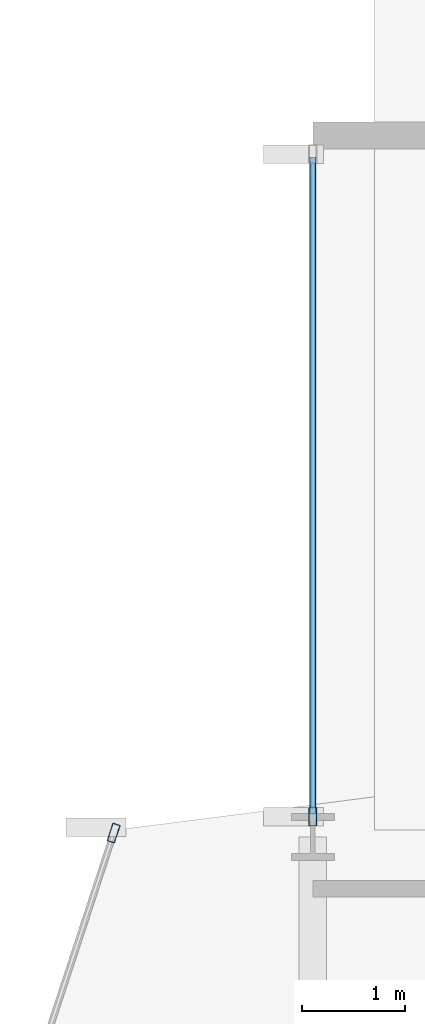
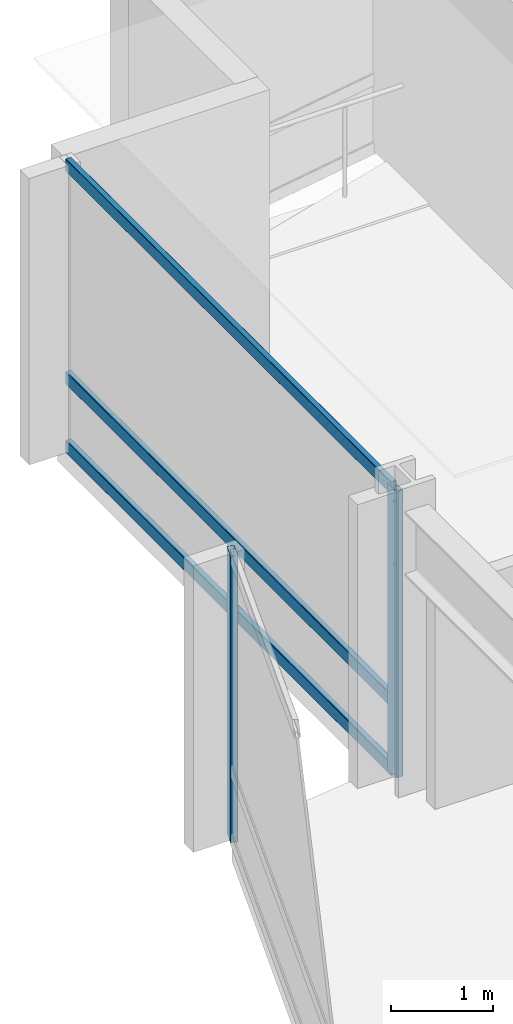
# One storey, part 16 of 29: 5 members, 2 elements without a shape of their own.
"""IFC4 building model written with IfcOpenShell, lengths in metres."""

import ifcopenshell
import ifcopenshell.guid

model = None  # the IFC model being written
_history = None  # IfcOwnerHistory: only IFC2X3 demands one
_inside = {}  # id of a spatial element -> (the spatial element, [elements in it])
_under = {}  # id of a project, library or spatial element -> (it, [spatial elements below it])
_declared = {}  # id of a project -> (the project, [libraries it declares])
_typed = {}  # id of a type object -> (the type object, [elements of that type])
_made_of = {}  # id of a material, layer set ... -> (it, [elements and type objects made of it])


def new_model(schema):
    """Start an empty IFC model of exactly this schema.

    Asked for "IFC4X3", IfcOpenShell would pick the latest addendum, in which some entities
    have other attributes; the version numbers below select the first issue.
    IFC2X3 requires an IfcOwnerHistory on every rooted entity: one is made here for all.
    """
    global model, _history
    if schema == "IFC4X3":
        model = ifcopenshell.file(schema_version=(4, 3, 0, 0))
    else:
        model = ifcopenshell.file(schema=schema)
    _inside.clear()
    _under.clear()
    _declared.clear()
    _typed.clear()
    _made_of.clear()
    _history = None
    if model.schema == "IFC2X3":
        org = make("IfcOrganization", Name="unknown")
        user = make(
            "IfcPersonAndOrganization",
            ThePerson=make("IfcPerson", FamilyName="unknown"),
            TheOrganization=org,
        )
        app = make(
            "IfcApplication",
            ApplicationDeveloper=org,
            Version="unknown",
            ApplicationFullName="unknown",
            ApplicationIdentifier="unknown",
        )
        _history = make(
            "IfcOwnerHistory",
            OwningUser=user,
            OwningApplication=app,
            ChangeAction="ADDED",
            CreationDate=0,
        )
    return model


def make(cls, **values):
    """One entity of the class cls with the attributes given. An attribute that is None is left unset."""
    return model.create_entity(
        cls, **{name: value for name, value in values.items() if value is not None}
    )


def rooted(cls, **values):
    """An entity with a GlobalId (a new one), such as an element, a storey or a relation."""
    return make(cls, GlobalId=ifcopenshell.guid.new(), OwnerHistory=_history, **values)


def si_unit(unit_type, name, prefix=None):
    """IfcSIUnit, for example si_unit("LENGTHUNIT", "METRE", prefix="MILLI")."""
    return make("IfcSIUnit", UnitType=unit_type, Prefix=prefix, Name=name)


def assignment(units):
    """IfcUnitAssignment: the units of a project."""
    return None if units is None else make("IfcUnitAssignment", Units=units)


def point(xyz):
    """IfcCartesianPoint."""
    return None if xyz is None else make("IfcCartesianPoint", Coordinates=xyz)


def direction(xyz):
    """IfcDirection."""
    return None if xyz is None else make("IfcDirection", DirectionRatios=xyz)


def frame(location, z_axis=None, x_axis=None):
    """IfcAxis2Placement3D, a coordinate frame: its origin and axes. An axis left out is left unset."""
    return make(
        "IfcAxis2Placement3D",
        Location=point(location),
        Axis=direction(z_axis),
        RefDirection=direction(x_axis),
    )


def frame_2d(location, x_axis=None):
    """IfcAxis2Placement2D, a coordinate frame in the plane: its origin and x axis."""
    return make(
        "IfcAxis2Placement2D", Location=point(location), RefDirection=direction(x_axis)
    )


def origin():
    """The frame at (0, 0, 0) with its axes left unset."""
    return frame((0.0, 0.0, 0.0))


def origin_2d():
    """The frame at (0, 0) in the plane with its x axis left unset."""
    return frame_2d((0.0, 0.0))


def place(relative_to, where):
    """IfcLocalPlacement: puts the frame where relative to a parent placement (None: the world)."""
    return make(
        "IfcLocalPlacement", PlacementRelTo=relative_to, RelativePlacement=where
    )


def context(
    kind, dimensions, precision=None, world=None, true_north=None, identifier=None
):
    """IfcGeometricRepresentationContext, for example the 3D "Model" context."""
    return make(
        "IfcGeometricRepresentationContext",
        ContextIdentifier=identifier,
        ContextType=kind,
        CoordinateSpaceDimension=dimensions,
        Precision=precision,
        WorldCoordinateSystem=world,
        TrueNorth=true_north,
    )


def subcontext(parent, identifier, kind, view, scale=None):
    """IfcGeometricRepresentationSubContext, for example "Body" below "Model"."""
    return make(
        "IfcGeometricRepresentationSubContext",
        ContextIdentifier=identifier,
        ContextType=kind,
        ParentContext=parent,
        TargetScale=scale,
        TargetView=view,
    )


def project(units=None, contexts=None):
    """IfcProject with its units and contexts."""
    return rooted(
        "IfcProject",
        Name="project",
        RepresentationContexts=contexts,
        UnitsInContext=assignment(units),
    )


def spatial(cls, under=None, at=None, **own):
    """A site, building, storey or space (cls), placed at a placement, below another one or the project."""
    s = rooted(cls, ObjectPlacement=at, **own)
    if under is not None:
        _under.setdefault(under.id(), (under, []))[1].append(s)
    return s


def profile(cls, at=None, kind="AREA", **sizes):
    """A parametric profile (cls). Its sizes go by their IFC names, for example OverallWidth=200.0."""
    return make(cls, ProfileType=kind, Position=at, **sizes)


def hollow_rectangle(**sizes):
    """IfcRectangleHollowProfileDef."""
    return profile("IfcRectangleHollowProfileDef", **sizes)


def extrude(swept, where, along, depth):
    """IfcExtrudedAreaSolid: the profile swept, set in the frame where, extruded along a direction by depth."""
    return make(
        "IfcExtrudedAreaSolid",
        SweptArea=swept,
        Position=where,
        ExtrudedDirection=direction(along),
        Depth=depth,
    )


def shape(context_of_items, identifier, shape_type, items):
    """IfcShapeRepresentation: the items that make up one representation, for example the "Body"."""
    return make(
        "IfcShapeRepresentation",
        ContextOfItems=context_of_items,
        RepresentationIdentifier=identifier,
        RepresentationType=shape_type,
        Items=items,
    )


def material(Name=None, Category=None):
    """IfcMaterial."""
    return make("IfcMaterial", Name=Name, Category=Category)


def layer(
    of_material, thickness, ventilated=None, Name=None, Category=None, Priority=None
):
    """IfcMaterialLayer: one layer of a wall or slab, of a material (None: an air gap)."""
    return make(
        "IfcMaterialLayer",
        Material=of_material,
        LayerThickness=thickness,
        IsVentilated=ventilated,
        Name=Name,
        Category=Category,
        Priority=Priority,
    )


def layer_set(layers, Name=None):
    """IfcMaterialLayerSet."""
    return make("IfcMaterialLayerSet", MaterialLayers=layers, LayerSetName=Name)


def material_profile(
    of_material, cross_section, Name=None, Category=None, Priority=None
):
    """IfcMaterialProfile: a cross section and its material."""
    return make(
        "IfcMaterialProfile",
        Name=Name,
        Material=of_material,
        Profile=cross_section,
        Priority=Priority,
        Category=Category,
    )


def profile_set(profiles, Name=None, composite=None):
    """IfcMaterialProfileSet."""
    return make(
        "IfcMaterialProfileSet",
        Name=Name,
        MaterialProfiles=profiles,
        CompositeProfile=composite,
    )


def made_of(thing, what):
    """Note that an element or type object is made of a material, layer set ...; save() writes the relation."""
    if what is not None:
        _made_of.setdefault(what.id(), (what, []))[1].append(thing)
    return thing


def type_object(cls, material=None, **own):
    """A type object (cls), such as IfcWallType, which elements share."""
    return made_of(rooted(cls, **own), material)


def element(
    cls,
    number,
    at=None,
    inside=None,
    cuts=None,
    type_object=None,
    material=None,
    context=None,
    identifier="Body",
    shape_type=None,
    held_by="IfcProductDefinitionShape",
    body=None,
    shapes=None,
    **own,
):
    """One element of the class cls, such as IfcWall. Its Tag is "e" and its number.

    at: its placement. inside: the storey or other place that contains it. cuts: it is an
    opening in that element (IfcRelVoidsElement). A single representation is given by context,
    identifier, shape_type and body (its items); several are given by shapes. held_by: the class
    of the entity that holds the representations. save() writes the other relations.
    """
    e = rooted(cls, Tag="e%d" % number, ObjectPlacement=at, **own)
    if body is not None:
        shapes = [shape(context, identifier, shape_type, body)]
    if shapes is not None:
        e.Representation = make(held_by, Representations=shapes)
    if inside is not None:
        _inside.setdefault(inside.id(), (inside, []))[1].append(e)
    if cuts is not None:
        rooted(
            "IfcRelVoidsElement", RelatingBuildingElement=cuts, RelatedOpeningElement=e
        )
    if type_object is not None:
        _typed.setdefault(type_object.id(), (type_object, []))[1].append(e)
    return made_of(e, material)


def aggregate(whole, parts):
    """IfcRelAggregates: a whole, such as a stair, and the parts it consists of."""
    return rooted("IfcRelAggregates", RelatingObject=whole, RelatedObjects=parts)


def save(model, path):
    """Write the relations noted so far, then the file.

    IfcRelAggregates (storeys below a building ...), IfcRelContainedInSpatialStructure (elements
    in a storey), IfcRelDefinesByType, IfcRelAssociatesMaterial and IfcRelDeclares: one each for
    every whole, place, type object, material and project.
    """
    for whole, parts in _under.values():
        aggregate(whole, parts)
    for where, things in _inside.values():
        rooted(
            "IfcRelContainedInSpatialStructure",
            RelatedElements=things,
            RelatingStructure=where,
        )
    for kind, things in _typed.values():
        rooted("IfcRelDefinesByType", RelatedObjects=things, RelatingType=kind)
    for what, things in _made_of.values():
        rooted("IfcRelAssociatesMaterial", RelatedObjects=things, RelatingMaterial=what)
    for by, libraries in _declared.values():
        rooted("IfcRelDeclares", RelatingContext=by, RelatedDefinitions=libraries)
    model.write(path)


model = new_model("IFC4")

# Units and contexts
model_context = context("Model", 3, precision=1e-05, world=origin(), true_north=direction((0.0, 1.0)))
body_context = subcontext(model_context, "Body", "Model", "MODEL_VIEW")
ifc_project = project(units=[si_unit("LENGTHUNIT", "METRE"), si_unit("AREAUNIT", "SQUARE_METRE"), si_unit("VOLUMEUNIT", "CUBIC_METRE"), si_unit("PLANEANGLEUNIT", "RADIAN"), si_unit("MASSUNIT", "GRAM", prefix="KILO")], contexts=[model_context])

# Site, building, storey
site_placement = place(None, origin())
site = spatial("IfcSite", under=ifc_project, at=site_placement, CompositionType="ELEMENT")
building_placement = place(site_placement, origin())
building = spatial("IfcBuilding", under=site, at=building_placement, Name="Solvaryn Broadcast Tower", CompositionType="ELEMENT")
storey_placement = place(building_placement, frame((0.0, 0.0, 117.39990234375)))
storey = spatial("IfcBuildingStorey", under=building, at=storey_placement, Name="L28", CompositionType="ELEMENT", Elevation=117.39990234375)

# Curtain wall, member
ifc_material_1 = material(Name="Aluminium and Terracotta Unitised Curtain Wall", Category="masonry")
ifc_layer = layer(ifc_material_1, 0.199951171875)
ifc_layer_set = layer_set([ifc_layer], Name="CW-SYS2-LOWMID")
curtain_wall_type = type_object("IfcCurtainWallType", Name="CW-SYS2-LOWMID", PredefinedType="NOTDEFINED", material=ifc_layer_set)
curtain_wall_1_placement = place(storey_placement, origin())
curtain_wall_1 = element("IfcCurtainWall", 1, at=curtain_wall_1_placement, inside=storey, type_object=curtain_wall_type, Name="L28 Curtain Wall DR1", PredefinedType="NOTDEFINED")
ifc_material_2 = material(Name="Anodised Aluminium 6063-T6", Category="aluminium")
ifc_material_profile_1 = material_profile(ifc_material_2, hollow_rectangle(XDim=0.074951171875, YDim=0.179931640625, WallThickness=0.00390625, InnerFilletRadius=0.00390625, OuterFilletRadius=0.008056640625, at=origin_2d()))
ifc_profile_set_1 = profile_set([ifc_material_profile_1], Name="Anodised Aluminium 6063-T6")
member_type_1 = type_object("IfcMemberType", Name="CW-MUL-180", PredefinedType="MULLION", material=ifc_profile_set_1)
member_1_placement = place(storey_placement, frame((7.069580078125, 45.03857421875, 0.0), z_axis=(0.0, 0.0, 1.0), x_axis=(0.950198260794, -0.311646057547, 0.0)))
member_1 = element("IfcMember", 2, at=member_1_placement, type_object=member_type_1, Name="CWS2 mullion 1", PredefinedType="MULLION", context=body_context, shape_type="SweptSolid", body=[
    extrude(hollow_rectangle(XDim=0.074951171875, YDim=0.179931640625, WallThickness=0.00390625, InnerFilletRadius=0.00390625, OuterFilletRadius=0.008056640625, at=origin_2d()), origin(), (0.0, 0.0, 1.0), 3.420166015625),
])
aggregate(curtain_wall_1, [member_1])

# Curtain wall, members
curtain_wall_2_placement = place(storey_placement, origin())
curtain_wall_2 = element("IfcCurtainWall", 3, at=curtain_wall_2_placement, inside=storey, type_object=curtain_wall_type, Name="L28 Curtain Wall W2", PredefinedType="NOTDEFINED")
member_2_placement = place(storey_placement, frame((9.0, 45.197021484375, 0.0), z_axis=(0.0, 0.0, 1.0), x_axis=(-1.0, 0.0, 0.0)))
member_2 = element("IfcMember", 4, at=member_2_placement, type_object=member_type_1, Name="CWS2 mullion 1", PredefinedType="MULLION", context=body_context, shape_type="SweptSolid", body=[
    extrude(hollow_rectangle(XDim=0.074951171875, YDim=0.179931640625, WallThickness=0.00390625, InnerFilletRadius=0.00390625, OuterFilletRadius=0.008056640625, at=origin_2d()), origin(), (0.0, 0.0, 1.0), 3.420166015625),
])
ifc_material_3 = material(Name="Anodised Aluminium 6063-T6", Category="aluminium")
ifc_material_profile_2 = material_profile(ifc_material_3, hollow_rectangle(XDim=0.06494140625, YDim=0.14990234375, WallThickness=0.00390625, InnerFilletRadius=0.00390625, OuterFilletRadius=0.008056640625, at=origin_2d()))
ifc_profile_set_2 = profile_set([ifc_material_profile_2], Name="Anodised Aluminium 6063-T6")
member_type_2 = type_object("IfcMemberType", Name="CW-TRN-150", PredefinedType="USERDEFINED", material=ifc_profile_set_2)
member_3_placement = place(storey_placement, frame((9.0, 45.22705078125, 0.030029296875), z_axis=(0.0, 1.0, 0.0), x_axis=(-1.0, 0.0, 0.0)))
member_3 = element("IfcMember", 5, at=member_3_placement, type_object=member_type_2, Name="CWS2 transom 1.1", ObjectType="TRANSOM", PredefinedType="USERDEFINED", context=body_context, shape_type="SweptSolid", body=[
    extrude(hollow_rectangle(XDim=0.06494140625, YDim=0.14990234375, WallThickness=0.00390625, InnerFilletRadius=0.00390625, OuterFilletRadius=0.008056640625, at=origin_2d()), origin(), (0.0, 0.0, 1.0), 6.363037109375),
])
member_4_placement = place(storey_placement, frame((9.0, 45.22705078125, 0.85009765625), z_axis=(0.0, 1.0, 0.0), x_axis=(-1.0, 0.0, 0.0)))
member_4 = element("IfcMember", 6, at=member_4_placement, type_object=member_type_2, Name="CWS2 transom 1.2", ObjectType="TRANSOM", PredefinedType="USERDEFINED", context=body_context, shape_type="SweptSolid", body=[
    extrude(hollow_rectangle(XDim=0.06494140625, YDim=0.14990234375, WallThickness=0.00390625, InnerFilletRadius=0.00390625, OuterFilletRadius=0.008056640625, at=origin_2d()), origin(), (0.0, 0.0, 1.0), 6.363037109375),
])
member_5_placement = place(storey_placement, frame((9.0, 45.22705078125, 3.39013671875), z_axis=(0.0, 1.0, 0.0), x_axis=(-1.0, 0.0, 0.0)))
member_5 = element("IfcMember", 7, at=member_5_placement, type_object=member_type_2, Name="CWS2 transom 1.3", ObjectType="TRANSOM", PredefinedType="USERDEFINED", context=body_context, shape_type="SweptSolid", body=[
    extrude(hollow_rectangle(XDim=0.06494140625, YDim=0.14990234375, WallThickness=0.00390625, InnerFilletRadius=0.00390625, OuterFilletRadius=0.008056640625, at=origin_2d()), origin(), (0.0, 0.0, 1.0), 6.363037109375),
])
aggregate(curtain_wall_2, [member_2, member_3, member_4, member_5])

save(model, "model.ifc")
